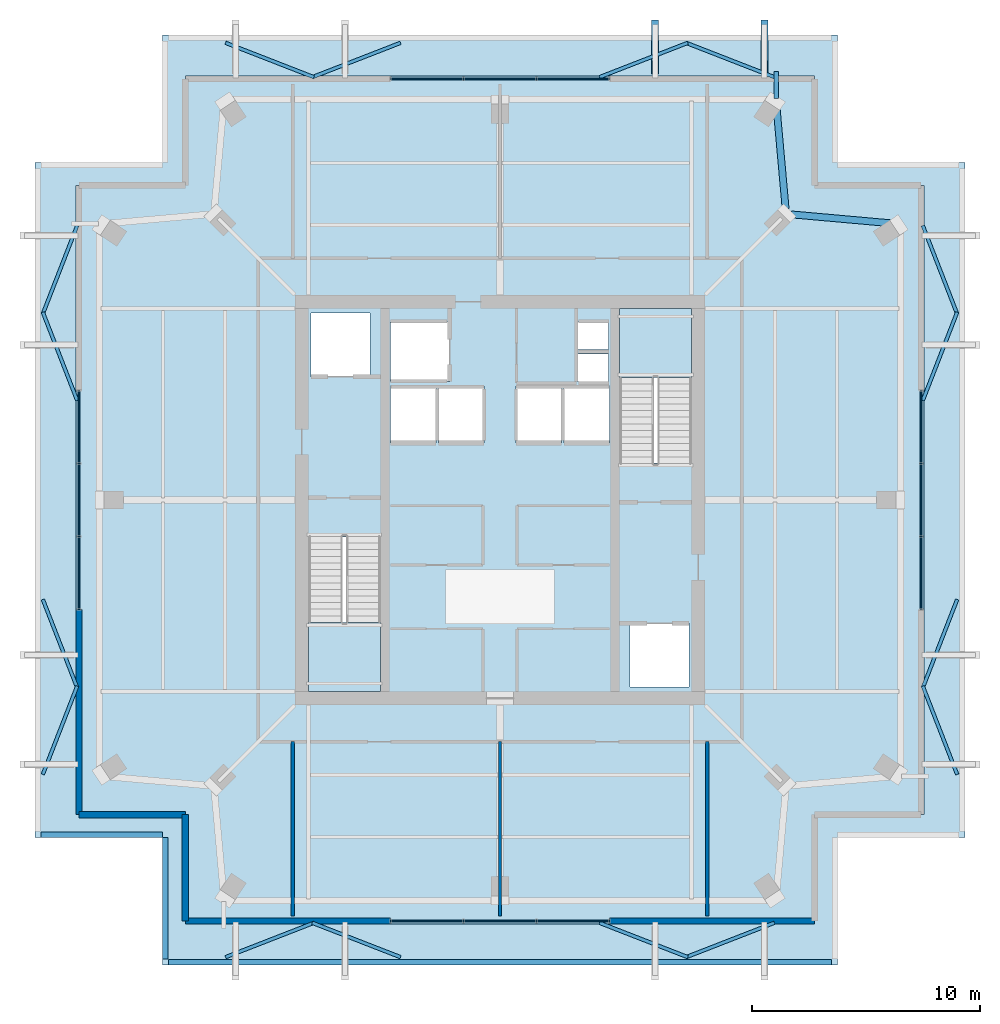
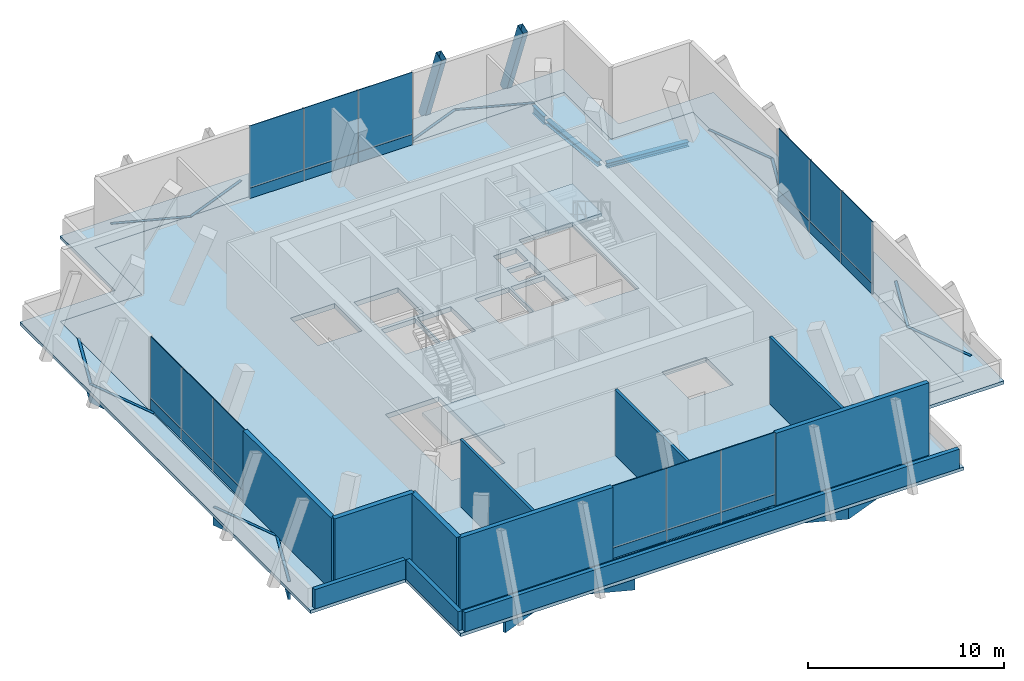
# One storey, part 15 of 18: 40 plates, 11 walls, 4 slabs, 3 beams, 2 members, 6 elements without a shape of their own.
"""IFC4 building model written with IfcOpenShell, lengths in metres."""

from ifc_helpers import new_model, si_unit, direction, frame, frame_2d, origin, origin_2d, place, context, subcontext, project, spatial, polyline, rectangle, hollow_rectangle, i_section, outline, extrude, material, layer, layer_set, material_profile, profile_set, type_object, element, aggregate, save


model = new_model("IFC4")

# Units and contexts
model_context = context("Model", 3, precision=1e-05, world=origin(), true_north=direction((0.0, 1.0)))
body_context = subcontext(model_context, "Body", "Model", "MODEL_VIEW")
ifc_project = project(units=[si_unit("LENGTHUNIT", "METRE"), si_unit("AREAUNIT", "SQUARE_METRE"), si_unit("VOLUMEUNIT", "CUBIC_METRE"), si_unit("PLANEANGLEUNIT", "RADIAN"), si_unit("MASSUNIT", "GRAM", prefix="KILO")], contexts=[model_context])

# Site, building, storey
site_placement = place(None, origin())
site = spatial("IfcSite", under=ifc_project, at=site_placement, CompositionType="ELEMENT")
building_placement = place(site_placement, origin())
building = spatial("IfcBuilding", under=site, at=building_placement, Name="Belovzor Exchange Tower", CompositionType="ELEMENT")
storey_placement = place(building_placement, frame((0.0, 0.0, 369.0)))
storey = spatial("IfcBuildingStorey", under=building, at=storey_placement, Name="L92", CompositionType="ELEMENT", Elevation=369.0)

# Beams
ifc_material_1 = material(Name="Steel S355", Category="steel")
ifc_material_profile_1 = material_profile(ifc_material_1, i_section(OverallWidth=0.300048828125, OverallDepth=0.300048828125, WebThickness=0.010986328125, FlangeThickness=0.01904296875, at=origin_2d()))
ifc_profile_set_1 = profile_set([ifc_material_profile_1], Name="Steel S355")
beam_type_1 = type_object("IfcBeamType", Name="Crown Plant Primary Beam HEB 300", PredefinedType="BEAM", material=ifc_profile_set_1)
for number, where, z_axis, x_axis, name in (
    (1, (46.160888671875, 40.919921875, -0.449951171875), (-0.996034353895, 0.088969465894, 0.0), (-0.088969465894, -0.996034353895, 0.0), "FG-CR Crown Plant Primary Beam HEB 300"),
    (2, (41.330078125, 41.569091796875, -0.449951171875), (-0.088969465894, 0.996034353895, 0.0), (-0.996034353895, -0.088969465894, 0.0), "FG-CR Crown Plant Primary Beam HEB 300"),
):
    element("IfcBeam", number, at=place(storey_placement, frame(where, z_axis=z_axis, x_axis=x_axis)), inside=storey, type_object=beam_type_1, Name=name, PredefinedType="BEAM", context=body_context, shape_type="SweptSolid", body=[
        extrude(i_section(OverallWidth=0.300048828125, OverallDepth=0.300048828125, WebThickness=0.010986328125, FlangeThickness=0.01904296875, at=origin_2d()), origin(), (0.0, 0.0, 1.0), 4.610107421875),
    ])
ifc_material_2 = material(Name="Steel S355", Category="steel")
ifc_material_profile_2 = material_profile(ifc_material_2, i_section(OverallWidth=0.199951171875, OverallDepth=0.5, WebThickness=0.01025390625, FlangeThickness=0.01611328125, at=origin_2d()))
ifc_profile_set_2 = profile_set([ifc_material_profile_2], Name="Steel S355")
beam_type_2 = type_object("IfcBeamType", Name="Planted Balcony Cantilever Beam IPE 500", PredefinedType="BEAM", material=ifc_profile_set_2)
beam_placement = place(storey_placement, frame((40.922119140625, 46.419921875, -0.550048828125), z_axis=(0.0, 1.0, 0.0), x_axis=(-1.0, 0.0, 0.0)))
element("IfcBeam", 3, at=beam_placement, inside=storey, type_object=beam_type_2, Name="BC-500 Planted Balcony Cantilever Beam IPE 500", PredefinedType="BEAM", context=body_context, shape_type="SweptSolid", body=[
    extrude(i_section(OverallWidth=0.199951171875, OverallDepth=0.5, WebThickness=0.01025390625, FlangeThickness=0.01611328125, at=origin_2d()), origin(), (0.0, 0.0, 1.0), 1.18017578125),
])

# Members
ifc_material_3 = material(Name="Extruded Architectural Terracotta on Steel S355 Carrier", Category="masonry")
ifc_material_profile_3 = material_profile(ifc_material_3, hollow_rectangle(XDim=0.300048828125, YDim=0.60009765625, WallThickness=0.01611328125, at=origin_2d()))
ifc_profile_set_3 = profile_set([ifc_material_profile_3], Name="Extruded Architectural Terracotta on Steel S355 Carrier")
member_type = type_object("IfcMemberType", Name="Upper Crown Terracotta Fin Assembly 550", PredefinedType="USERDEFINED", material=ifc_profile_set_3)
for number, where, z_axis, x_axis, name in (
    (4, (35.60009765625, 49.574951171875, -0.300048828125), (0.0, -0.351128660605, 0.936327220421), (1.0, 0.0, 0.0), "FIN-TC055 Terracotta Facade Fin L92 N3"),
    (5, (40.39990234375, 49.574951171875, -0.300048828125), (0.0, -0.351128660605, 0.936327220421), (1.0, 0.0, 0.0), "FIN-TC055 Terracotta Facade Fin L92 N4"),
):
    element("IfcMember", number, at=place(storey_placement, frame(where, z_axis=z_axis, x_axis=x_axis)), inside=storey, type_object=member_type, Name=name, ObjectType="FIN", PredefinedType="USERDEFINED", context=body_context, shape_type="SweptSolid", body=[
        extrude(hollow_rectangle(XDim=0.300048828125, YDim=0.60009765625, WallThickness=0.01611328125, at=origin_2d()), origin(), (0.0, 0.0, 1.0), 5.12646484375),
    ])

# Curtain wall, plates
ifc_material_4 = material(Name="Anodised Aluminium Framing", Category="aluminium")
ifc_layer_1 = layer(ifc_material_4, 0.169921875)
ifc_layer_set_1 = layer_set([ifc_layer_1], Name="Anodised Aluminium Framing")
curtain_wall_type = type_object("IfcCurtainWallType", Name="Stepped Crown Faceted Lantern Curtain Wall", PredefinedType="NOTDEFINED", material=ifc_layer_set_1)
curtain_wall_1_placement = place(storey_placement, origin())
curtain_wall_1 = element("IfcCurtainWall", 6, at=curtain_wall_1_placement, inside=storey, type_object=curtain_wall_type, Name="CW6 Stepped Crown Faceted Lantern Curtain Wall L92", PredefinedType="NOTDEFINED")
ifc_material_5 = material(Name="Solar-Control Triple Glazing", Category="glass")
ifc_layer_2 = layer(ifc_material_5, 0.0439453125)
ifc_layer_set_2 = layer_set([ifc_layer_2], Name="Solar-Control Triple Glazing")
plate_type_1 = type_object("IfcPlateType", Name="Insulated Solar Glazing Curtain Panel 44", PredefinedType="CURTAIN_PANEL", material=ifc_layer_set_2)
plate_1_placement = place(storey_placement, frame((32.0, 10.330078125, 0.65185546875), z_axis=(0.0, 0.0, 1.0), x_axis=(-1.0, 0.0, 0.0)))
plate_1 = element("IfcPlate", 7, at=plate_1_placement, type_object=plate_type_1, Name="GLZ-44 Glazed Curtain Panel 1", PredefinedType="CURTAIN_PANEL", context=body_context, shape_type="SweptSolid", body=[
    extrude(rectangle(XDim=3.18408203125, YDim=0.0439453125, at=origin_2d()), origin(), (0.0, 0.0, 1.0), 3.847900390625),
])
plate_2_placement = place(storey_placement, frame((28.800048828125, 10.330078125, 0.65185546875), z_axis=(0.0, 0.0, 1.0), x_axis=(-1.0, 0.0, 0.0)))
plate_2 = element("IfcPlate", 8, at=plate_2_placement, type_object=plate_type_1, Name="GLZ-44 Glazed Curtain Panel 2", PredefinedType="CURTAIN_PANEL", context=body_context, shape_type="SweptSolid", body=[
    extrude(rectangle(XDim=3.18408203125, YDim=0.0439453125, at=origin_2d()), origin(), (0.0, 0.0, 1.0), 3.847900390625),
])
plate_3_placement = place(storey_placement, frame((25.60009765625, 10.330078125, 0.65185546875), z_axis=(0.0, 0.0, 1.0), x_axis=(-1.0, 0.0, 0.0)))
plate_3 = element("IfcPlate", 9, at=plate_3_placement, type_object=plate_type_1, Name="GLZ-44 Glazed Curtain Panel 3", PredefinedType="CURTAIN_PANEL", context=body_context, shape_type="SweptSolid", body=[
    extrude(rectangle(XDim=3.18408203125, YDim=0.0439453125, at=origin_2d()), origin(), (0.0, 0.0, 1.0), 3.847900390625),
])

curtain_wall_2_placement = place(storey_placement, origin())
curtain_wall_2 = element("IfcCurtainWall", 10, at=curtain_wall_2_placement, inside=storey, type_object=curtain_wall_type, Name="CW6 Stepped Crown Faceted Lantern Curtain Wall L92", PredefinedType="NOTDEFINED")
plate_4_placement = place(storey_placement, frame((25.60009765625, 47.27001953125, 0.65185546875), z_axis=(0.0, 0.0, 1.0), x_axis=(1.0, 0.0, 0.0)))
plate_4 = element("IfcPlate", 11, at=plate_4_placement, type_object=plate_type_1, Name="GLZ-44 Glazed Curtain Panel 1", PredefinedType="CURTAIN_PANEL", context=body_context, shape_type="SweptSolid", body=[
    extrude(rectangle(XDim=3.18408203125, YDim=0.0439453125, at=origin_2d()), origin(), (0.0, 0.0, 1.0), 3.847900390625),
])
plate_5_placement = place(storey_placement, frame((28.800048828125, 47.27001953125, 0.65185546875), z_axis=(0.0, 0.0, 1.0), x_axis=(1.0, 0.0, 0.0)))
plate_5 = element("IfcPlate", 12, at=plate_5_placement, type_object=plate_type_1, Name="GLZ-44 Glazed Curtain Panel 2", PredefinedType="CURTAIN_PANEL", context=body_context, shape_type="SweptSolid", body=[
    extrude(rectangle(XDim=3.18408203125, YDim=0.0439453125, at=origin_2d()), origin(), (0.0, 0.0, 1.0), 3.847900390625),
])
plate_6_placement = place(storey_placement, frame((32.0, 47.27001953125, 0.65185546875), z_axis=(0.0, 0.0, 1.0), x_axis=(1.0, 0.0, 0.0)))
plate_6 = element("IfcPlate", 13, at=plate_6_placement, type_object=plate_type_1, Name="GLZ-44 Glazed Curtain Panel 3", PredefinedType="CURTAIN_PANEL", context=body_context, shape_type="SweptSolid", body=[
    extrude(rectangle(XDim=3.18408203125, YDim=0.0439453125, at=origin_2d()), origin(), (0.0, 0.0, 1.0), 3.847900390625),
])

curtain_wall_3_placement = place(storey_placement, origin())
curtain_wall_3 = element("IfcCurtainWall", 14, at=curtain_wall_3_placement, inside=storey, type_object=curtain_wall_type, Name="CW6 Stepped Crown Faceted Lantern Curtain Wall L92", PredefinedType="NOTDEFINED")
plate_7_placement = place(storey_placement, frame((10.330078125, 25.60009765625, 0.65185546875), z_axis=(0.0, 0.0, 1.0), x_axis=(0.0, 1.0, 0.0)))
plate_7 = element("IfcPlate", 15, at=plate_7_placement, type_object=plate_type_1, Name="GLZ-44 Glazed Curtain Panel 1", PredefinedType="CURTAIN_PANEL", context=body_context, shape_type="SweptSolid", body=[
    extrude(rectangle(XDim=3.18408203125, YDim=0.0439453125, at=origin_2d()), origin(), (0.0, 0.0, 1.0), 3.847900390625),
])
plate_8_placement = place(storey_placement, frame((10.330078125, 28.800048828125, 0.65185546875), z_axis=(0.0, 0.0, 1.0), x_axis=(0.0, 1.0, 0.0)))
plate_8 = element("IfcPlate", 16, at=plate_8_placement, type_object=plate_type_1, Name="GLZ-44 Glazed Curtain Panel 2", PredefinedType="CURTAIN_PANEL", context=body_context, shape_type="SweptSolid", body=[
    extrude(rectangle(XDim=3.18408203125, YDim=0.0439453125, at=origin_2d()), origin(), (0.0, 0.0, 1.0), 3.847900390625),
])
plate_9_placement = place(storey_placement, frame((10.330078125, 32.0, 0.65185546875), z_axis=(0.0, 0.0, 1.0), x_axis=(0.0, 1.0, 0.0)))
plate_9 = element("IfcPlate", 17, at=plate_9_placement, type_object=plate_type_1, Name="GLZ-44 Glazed Curtain Panel 3", PredefinedType="CURTAIN_PANEL", context=body_context, shape_type="SweptSolid", body=[
    extrude(rectangle(XDim=3.18408203125, YDim=0.0439453125, at=origin_2d()), origin(), (0.0, 0.0, 1.0), 3.847900390625),
])

curtain_wall_4_placement = place(storey_placement, origin())
curtain_wall_4 = element("IfcCurtainWall", 18, at=curtain_wall_4_placement, inside=storey, type_object=curtain_wall_type, Name="CW6 Stepped Crown Faceted Lantern Curtain Wall L92", PredefinedType="NOTDEFINED")
plate_10_placement = place(storey_placement, frame((47.27001953125, 32.0, 0.65185546875), z_axis=(0.0, 0.0, 1.0), x_axis=(0.0, -1.0, 0.0)))
plate_10 = element("IfcPlate", 19, at=plate_10_placement, type_object=plate_type_1, Name="GLZ-44 Glazed Curtain Panel 1", PredefinedType="CURTAIN_PANEL", context=body_context, shape_type="SweptSolid", body=[
    extrude(rectangle(XDim=3.18408203125, YDim=0.0439453125, at=origin_2d()), origin(), (0.0, 0.0, 1.0), 3.847900390625),
])
plate_11_placement = place(storey_placement, frame((47.27001953125, 28.800048828125, 0.65185546875), z_axis=(0.0, 0.0, 1.0), x_axis=(0.0, -1.0, 0.0)))
plate_11 = element("IfcPlate", 20, at=plate_11_placement, type_object=plate_type_1, Name="GLZ-44 Glazed Curtain Panel 2", PredefinedType="CURTAIN_PANEL", context=body_context, shape_type="SweptSolid", body=[
    extrude(rectangle(XDim=3.18408203125, YDim=0.0439453125, at=origin_2d()), origin(), (0.0, 0.0, 1.0), 3.847900390625),
])
plate_12_placement = place(storey_placement, frame((47.27001953125, 25.60009765625, 0.65185546875), z_axis=(0.0, 0.0, 1.0), x_axis=(0.0, -1.0, 0.0)))
plate_12 = element("IfcPlate", 21, at=plate_12_placement, type_object=plate_type_1, Name="GLZ-44 Glazed Curtain Panel 3", PredefinedType="CURTAIN_PANEL", context=body_context, shape_type="SweptSolid", body=[
    extrude(rectangle(XDim=3.18408203125, YDim=0.0439453125, at=origin_2d()), origin(), (0.0, 0.0, 1.0), 3.847900390625),
])

# Slab
ifc_material_6 = material(Name="Concrete C40/50", Category="concrete")
ifc_layer_3 = layer(ifc_material_6, 0.300048828125)
ifc_layer_set_3 = layer_set([ifc_layer_3], Name="Concrete C40/50")
slab_type_1 = type_object("IfcSlabType", Name="Reinforced Concrete Crown Plant Floor Slab 300", PredefinedType="FLOOR", material=ifc_layer_set_3)
slab_1_placement = place(storey_placement, frame((0.0, 0.0, -0.300048828125)))
element("IfcSlab", 22, at=slab_1_placement, inside=storey, type_object=slab_type_1, Name="SL-F300 Structural Slab L92", PredefinedType="FLOOR", context=body_context, shape_type="SweptSolid", body=[
    extrude(outline(polyline([(15.0, 10.199951171875), (42.60009765625, 10.199951171875), (42.60009765625, 15.0), (47.39990234375, 15.0), (47.39990234375, 42.60009765625), (42.60009765625, 42.60009765625), (42.60009765625, 47.39990234375), (15.0, 47.39990234375), (15.0, 42.60009765625), (10.199951171875, 42.60009765625), (10.199951171875, 15.0), (15.0, 15.0), (15.0, 10.199951171875)]), holes=[polyline([(20.39990234375, 27.175048828125), (20.39990234375, 20.39990234375), (23.550048828125, 20.39990234375), (23.550048828125, 27.175048828125), (20.39990234375, 27.175048828125)]), polyline([(37.199951171875, 30.425048828125), (37.199951171875, 37.199951171875), (34.050048828125, 37.199951171875), (34.050048828125, 30.425048828125), (37.199951171875, 30.425048828125)]), polyline([(20.5, 34.199951171875), (23.10009765625, 34.199951171875), (23.10009765625, 37.0), (20.5, 37.0), (20.5, 34.199951171875)]), polyline([(34.5, 20.60009765625), (37.10009765625, 20.60009765625), (37.10009765625, 23.39990234375), (34.5, 23.39990234375), (34.5, 20.60009765625)]), polyline([(24.0, 34.0), (26.60009765625, 34.0), (26.60009765625, 36.60009765625), (24.0, 36.60009765625), (24.0, 34.0)]), polyline([(24.0, 31.300048828125), (26.0, 31.300048828125), (26.0, 33.800048828125), (24.0, 33.800048828125), (24.0, 31.300048828125)]), polyline([(26.10009765625, 31.300048828125), (28.10009765625, 31.300048828125), (28.10009765625, 33.800048828125), (26.10009765625, 33.800048828125), (26.10009765625, 31.300048828125)]), polyline([(29.5, 31.300048828125), (31.5, 31.300048828125), (31.5, 33.800048828125), (29.5, 33.800048828125), (29.5, 31.300048828125)]), polyline([(31.60009765625, 31.300048828125), (33.60009765625, 31.300048828125), (33.60009765625, 33.800048828125), (31.60009765625, 33.800048828125), (31.60009765625, 31.300048828125)]), polyline([(32.199951171875, 34.0), (33.550048828125, 34.0), (33.550048828125, 35.199951171875), (32.199951171875, 35.199951171875), (32.199951171875, 34.0)]), polyline([(32.199951171875, 35.39990234375), (33.550048828125, 35.39990234375), (33.550048828125, 36.60009765625), (32.199951171875, 36.60009765625), (32.199951171875, 35.39990234375)])]), origin(), (0.0, 0.0, 1.0), 0.300048828125),
])

# Stair, slab
ifc_material_7 = material(Name="Concrete C40/50", Category="concrete")
stair_type = type_object("IfcStairType", Name="Reinforced Concrete Dogleg Escape Stair 1350", PredefinedType="HALF_TURN_STAIR", material=ifc_material_7)
stair_1_placement = place(storey_placement, origin())
stair_1 = element("IfcStair", 23, at=stair_1_placement, inside=storey, type_object=stair_type, Name="L92 ST-1", PredefinedType="HALF_TURN_STAIR")
ifc_material_8 = material(Name="Concrete C40/50", Category="concrete")
ifc_layer_4 = layer(ifc_material_8, 0.199951171875)
ifc_layer_set_4 = layer_set([ifc_layer_4], Name="Concrete C40/50")
slab_type_2 = type_object("IfcSlabType", Name="Reinforced Concrete Stair Half-Landing Slab 200", PredefinedType="LANDING", material=ifc_layer_set_4)
slab_2_placement = place(storey_placement, frame((0.0, 0.0, 2.199951171875)))
slab_2 = element("IfcSlab", 24, at=slab_2_placement, type_object=slab_type_2, Name="ST-1 landing 1", PredefinedType="LANDING", context=body_context, shape_type="SweptSolid", body=[
    extrude(outline(polyline([(20.39990234375, 23.429931640625), (20.39990234375, 20.39990234375), (23.550048828125, 20.39990234375), (23.550048828125, 23.429931640625), (20.39990234375, 23.429931640625)])), origin(), (0.0, 0.0, 1.0), 0.199951171875),
])
aggregate(stair_1, [slab_2])

stair_2_placement = place(storey_placement, origin())
stair_2 = element("IfcStair", 25, at=stair_2_placement, inside=storey, type_object=stair_type, Name="L92 ST-2", PredefinedType="HALF_TURN_STAIR")
slab_3_placement = place(storey_placement, frame((0.0, 0.0, 2.199951171875)))
slab_3 = element("IfcSlab", 26, at=slab_3_placement, type_object=slab_type_2, Name="ST-2 landing 1", PredefinedType="LANDING", context=body_context, shape_type="SweptSolid", body=[
    extrude(outline(polyline([(37.199951171875, 34.169921875), (37.199951171875, 37.199951171875), (34.050048828125, 37.199951171875), (34.050048828125, 34.169921875), (37.199951171875, 34.169921875)])), origin(), (0.0, 0.0, 1.0), 0.199951171875),
])
aggregate(stair_2, [slab_3])

# Slab
ifc_material_9 = material(Name="Concrete C40/50", Category="concrete")
ifc_layer_5 = layer(ifc_material_9, 0.199951171875)
ifc_layer_set_5 = layer_set([ifc_layer_5], Name="Concrete C40/50")
slab_type_3 = type_object("IfcSlabType", Name="Setback Weathering Roof Ring Slab 200", PredefinedType="ROOF", material=ifc_layer_set_5)
slab_4_placement = place(storey_placement, frame((0.0, 0.0, -0.199951171875)))
element("IfcSlab", 27, at=slab_4_placement, inside=storey, type_object=slab_type_3, Name="SL-RF200A Setback Weathering Roof Ring L91", PredefinedType="ROOF", context=body_context, shape_type="SweptSolid", body=[
    extrude(outline(polyline([(14.0, 8.39990234375), (43.60009765625, 8.39990234375), (43.60009765625, 14.0), (49.199951171875, 14.0), (49.199951171875, 43.60009765625), (43.60009765625, 43.60009765625), (43.60009765625, 49.199951171875), (14.0, 49.199951171875), (14.0, 43.60009765625), (8.39990234375, 43.60009765625), (8.39990234375, 14.0), (14.0, 14.0), (14.0, 8.39990234375)]), holes=[polyline([(15.0, 10.199951171875), (42.60009765625, 10.199951171875), (42.60009765625, 15.0), (47.39990234375, 15.0), (47.39990234375, 42.60009765625), (42.60009765625, 42.60009765625), (42.60009765625, 47.39990234375), (15.0, 47.39990234375), (15.0, 42.60009765625), (10.199951171875, 42.60009765625), (10.199951171875, 15.0), (15.0, 15.0), (15.0, 10.199951171875)])]), origin(), (0.0, 0.0, 1.0), 0.199951171875),
])

# Plate
ifc_material_10 = material(Name="Extruded Architectural Terracotta", Category="masonry")
ifc_layer_6 = layer(ifc_material_10, 0.090087890625)
ifc_layer_set_6 = layer_set([ifc_layer_6], Name="Extruded Architectural Terracotta")
plate_type_2 = type_object("IfcPlateType", Name="Terracotta Shadow-Box Spandrel Panel 90", PredefinedType="CURTAIN_PANEL", material=ifc_layer_set_6)
plate_13_placement = place(storey_placement, frame((32.0, 10.330078125, 0.0), z_axis=(0.0, 0.0, 1.0), x_axis=(-1.0, 0.0, 0.0)))
plate_13 = element("IfcPlate", 28, at=plate_13_placement, type_object=plate_type_2, Name="SPD-90 Spandrel Panel 1", PredefinedType="CURTAIN_PANEL", context=body_context, shape_type="SweptSolid", body=[
    extrude(rectangle(XDim=3.18408203125, YDim=0.090087890625, at=origin_2d()), origin(), (0.0, 0.0, 1.0), 0.64794921875),
])

plate_14_placement = place(storey_placement, frame((28.800048828125, 10.330078125, 0.0), z_axis=(0.0, 0.0, 1.0), x_axis=(-1.0, 0.0, 0.0)))
plate_14 = element("IfcPlate", 29, at=plate_14_placement, type_object=plate_type_2, Name="SPD-90 Spandrel Panel 2", PredefinedType="CURTAIN_PANEL", context=body_context, shape_type="SweptSolid", body=[
    extrude(rectangle(XDim=3.18408203125, YDim=0.090087890625, at=origin_2d()), origin(), (0.0, 0.0, 1.0), 0.64794921875),
])

plate_15_placement = place(storey_placement, frame((25.60009765625, 10.330078125, 0.0), z_axis=(0.0, 0.0, 1.0), x_axis=(-1.0, 0.0, 0.0)))
plate_15 = element("IfcPlate", 30, at=plate_15_placement, type_object=plate_type_2, Name="SPD-90 Spandrel Panel 3", PredefinedType="CURTAIN_PANEL", context=body_context, shape_type="SweptSolid", body=[
    extrude(rectangle(XDim=3.18408203125, YDim=0.090087890625, at=origin_2d()), origin(), (0.0, 0.0, 1.0), 0.64794921875),
])

aggregate(curtain_wall_1, [plate_13, plate_1, plate_14, plate_2, plate_15, plate_3])

plate_16_placement = place(storey_placement, frame((25.60009765625, 47.27001953125, 0.0), z_axis=(0.0, 0.0, 1.0), x_axis=(1.0, 0.0, 0.0)))
plate_16 = element("IfcPlate", 31, at=plate_16_placement, type_object=plate_type_2, Name="SPD-90 Spandrel Panel 1", PredefinedType="CURTAIN_PANEL", context=body_context, shape_type="SweptSolid", body=[
    extrude(rectangle(XDim=3.18408203125, YDim=0.090087890625, at=origin_2d()), origin(), (0.0, 0.0, 1.0), 0.64794921875),
])

plate_17_placement = place(storey_placement, frame((28.800048828125, 47.27001953125, 0.0), z_axis=(0.0, 0.0, 1.0), x_axis=(1.0, 0.0, 0.0)))
plate_17 = element("IfcPlate", 32, at=plate_17_placement, type_object=plate_type_2, Name="SPD-90 Spandrel Panel 2", PredefinedType="CURTAIN_PANEL", context=body_context, shape_type="SweptSolid", body=[
    extrude(rectangle(XDim=3.18408203125, YDim=0.090087890625, at=origin_2d()), origin(), (0.0, 0.0, 1.0), 0.64794921875),
])

plate_18_placement = place(storey_placement, frame((32.0, 47.27001953125, 0.0), z_axis=(0.0, 0.0, 1.0), x_axis=(1.0, 0.0, 0.0)))
plate_18 = element("IfcPlate", 33, at=plate_18_placement, type_object=plate_type_2, Name="SPD-90 Spandrel Panel 3", PredefinedType="CURTAIN_PANEL", context=body_context, shape_type="SweptSolid", body=[
    extrude(rectangle(XDim=3.18408203125, YDim=0.090087890625, at=origin_2d()), origin(), (0.0, 0.0, 1.0), 0.64794921875),
])

aggregate(curtain_wall_2, [plate_16, plate_4, plate_17, plate_5, plate_18, plate_6])

plate_19_placement = place(storey_placement, frame((10.330078125, 25.60009765625, 0.0), z_axis=(0.0, 0.0, 1.0), x_axis=(0.0, 1.0, 0.0)))
plate_19 = element("IfcPlate", 34, at=plate_19_placement, type_object=plate_type_2, Name="SPD-90 Spandrel Panel 1", PredefinedType="CURTAIN_PANEL", context=body_context, shape_type="SweptSolid", body=[
    extrude(rectangle(XDim=3.18408203125, YDim=0.090087890625, at=origin_2d()), origin(), (0.0, 0.0, 1.0), 0.64794921875),
])

plate_20_placement = place(storey_placement, frame((10.330078125, 28.800048828125, 0.0), z_axis=(0.0, 0.0, 1.0), x_axis=(0.0, 1.0, 0.0)))
plate_20 = element("IfcPlate", 35, at=plate_20_placement, type_object=plate_type_2, Name="SPD-90 Spandrel Panel 2", PredefinedType="CURTAIN_PANEL", context=body_context, shape_type="SweptSolid", body=[
    extrude(rectangle(XDim=3.18408203125, YDim=0.090087890625, at=origin_2d()), origin(), (0.0, 0.0, 1.0), 0.64794921875),
])

plate_21_placement = place(storey_placement, frame((10.330078125, 32.0, 0.0), z_axis=(0.0, 0.0, 1.0), x_axis=(0.0, 1.0, 0.0)))
plate_21 = element("IfcPlate", 36, at=plate_21_placement, type_object=plate_type_2, Name="SPD-90 Spandrel Panel 3", PredefinedType="CURTAIN_PANEL", context=body_context, shape_type="SweptSolid", body=[
    extrude(rectangle(XDim=3.18408203125, YDim=0.090087890625, at=origin_2d()), origin(), (0.0, 0.0, 1.0), 0.64794921875),
])

aggregate(curtain_wall_3, [plate_19, plate_7, plate_20, plate_8, plate_21, plate_9])

plate_22_placement = place(storey_placement, frame((47.27001953125, 32.0, 0.0), z_axis=(0.0, 0.0, 1.0), x_axis=(0.0, -1.0, 0.0)))
plate_22 = element("IfcPlate", 37, at=plate_22_placement, type_object=plate_type_2, Name="SPD-90 Spandrel Panel 1", PredefinedType="CURTAIN_PANEL", context=body_context, shape_type="SweptSolid", body=[
    extrude(rectangle(XDim=3.18408203125, YDim=0.090087890625, at=origin_2d()), origin(), (0.0, 0.0, 1.0), 0.64794921875),
])

plate_23_placement = place(storey_placement, frame((47.27001953125, 28.800048828125, 0.0), z_axis=(0.0, 0.0, 1.0), x_axis=(0.0, -1.0, 0.0)))
plate_23 = element("IfcPlate", 38, at=plate_23_placement, type_object=plate_type_2, Name="SPD-90 Spandrel Panel 2", PredefinedType="CURTAIN_PANEL", context=body_context, shape_type="SweptSolid", body=[
    extrude(rectangle(XDim=3.18408203125, YDim=0.090087890625, at=origin_2d()), origin(), (0.0, 0.0, 1.0), 0.64794921875),
])

plate_24_placement = place(storey_placement, frame((47.27001953125, 25.60009765625, 0.0), z_axis=(0.0, 0.0, 1.0), x_axis=(0.0, -1.0, 0.0)))
plate_24 = element("IfcPlate", 39, at=plate_24_placement, type_object=plate_type_2, Name="SPD-90 Spandrel Panel 3", PredefinedType="CURTAIN_PANEL", context=body_context, shape_type="SweptSolid", body=[
    extrude(rectangle(XDim=3.18408203125, YDim=0.090087890625, at=origin_2d()), origin(), (0.0, 0.0, 1.0), 0.64794921875),
])

aggregate(curtain_wall_4, [plate_22, plate_10, plate_23, plate_11, plate_24, plate_12])

# Plates
ifc_material_11 = material(Name="Extruded Architectural Terracotta", Category="masonry")
ifc_layer_7 = layer(ifc_material_11, 0.14990234375)
ifc_layer_set_7 = layer_set([ifc_layer_7], Name="Extruded Architectural Terracotta")
plate_type_3 = type_object("IfcPlateType", Name="Upper-Crown Deep Folded Zigzag Terracotta Spandrel Louvre 150", PredefinedType="USERDEFINED", material=ifc_layer_set_7)
for number, where, z_axis, x_axis, name in (
    (40, (18.699951171875, 9.5, -1.10498046875), (0.0, 0.0, 1.0), (0.931817969421, 0.362925986758, 0.0), "LVR-ZZ3 Zigzag Terracotta Spandrel Louvre L92 S1A"),
    (41, (22.5, 9.5, -1.10498046875), (0.0, 0.0, 1.0), (0.931817969421, -0.362925986758, 0.0), "LVR-ZZ3 Zigzag Terracotta Spandrel Louvre L92 S1B"),
    (42, (18.699951171875, 48.10009765625, -1.10498046875), (0.0, 0.0, 1.0), (0.931817969421, -0.362925986758, 0.0), "LVR-ZZ3 Zigzag Terracotta Spandrel Louvre L92 N1A"),
    (43, (22.5, 48.10009765625, -1.10498046875), (0.0, 0.0, 1.0), (0.931817969421, 0.362925986758, 0.0), "LVR-ZZ3 Zigzag Terracotta Spandrel Louvre L92 N1B"),
    (44, (9.5, 18.699951171875, -1.10498046875), (0.0, 0.0, 1.0), (0.362925986758, 0.931817969421, 0.0), "LVR-ZZ3 Zigzag Terracotta Spandrel Louvre L92 W1A"),
    (45, (9.5, 22.5, -1.10498046875), (0.0, 0.0, 1.0), (-0.362925986758, 0.931817969421, 0.0), "LVR-ZZ3 Zigzag Terracotta Spandrel Louvre L92 W1B"),
    (46, (48.10009765625, 18.699951171875, -1.10498046875), (0.0, 0.0, 1.0), (-0.362925986758, 0.931817969421, 0.0), "LVR-ZZ3 Zigzag Terracotta Spandrel Louvre L92 E1A"),
    (47, (48.10009765625, 22.5, -1.10498046875), (0.0, 0.0, 1.0), (0.362925986758, 0.931817969421, 0.0), "LVR-ZZ3 Zigzag Terracotta Spandrel Louvre L92 E1B"),
    (48, (35.10009765625, 9.5, -1.10498046875), (0.0, 0.0, 1.0), (0.931817969421, -0.362925986758, 0.0), "LVR-ZZ3 Zigzag Terracotta Spandrel Louvre L92 S2A"),
    (49, (38.89990234375, 9.5, -1.10498046875), (0.0, 0.0, 1.0), (0.931817969421, 0.362925986758, 0.0), "LVR-ZZ3 Zigzag Terracotta Spandrel Louvre L92 S2B"),
    (50, (35.10009765625, 48.10009765625, -1.10498046875), (0.0, 0.0, 1.0), (0.931817969421, 0.362925986758, 0.0), "LVR-ZZ3 Zigzag Terracotta Spandrel Louvre L92 N2A"),
    (51, (38.89990234375, 48.10009765625, -1.10498046875), (0.0, 0.0, 1.0), (0.931817969421, -0.362925986758, 0.0), "LVR-ZZ3 Zigzag Terracotta Spandrel Louvre L92 N2B"),
    (52, (9.5, 35.10009765625, -1.10498046875), (0.0, 0.0, 1.0), (-0.362925986758, 0.931817969421, 0.0), "LVR-ZZ3 Zigzag Terracotta Spandrel Louvre L92 W2A"),
    (53, (9.5, 38.89990234375, -1.10498046875), (0.0, 0.0, 1.0), (0.362925986758, 0.931817969421, 0.0), "LVR-ZZ3 Zigzag Terracotta Spandrel Louvre L92 W2B"),
    (54, (48.10009765625, 35.10009765625, -1.10498046875), (0.0, 0.0, 1.0), (0.362925986758, 0.931817969421, 0.0), "LVR-ZZ3 Zigzag Terracotta Spandrel Louvre L92 E2A"),
    (55, (48.10009765625, 38.89990234375, -1.10498046875), (0.0, 0.0, 1.0), (-0.362925986758, 0.931817969421, 0.0), "LVR-ZZ3 Zigzag Terracotta Spandrel Louvre L92 E2B"),
):
    element("IfcPlate", number, at=place(storey_placement, frame(where, z_axis=z_axis, x_axis=x_axis)), inside=storey, type_object=plate_type_3, Name=name, ObjectType="SPANDREL_LOUVRE", PredefinedType="USERDEFINED", context=body_context, shape_type="SweptSolid", body=[
        extrude(rectangle(XDim=4.157958984375, YDim=0.14990234375, at=origin_2d()), origin(), (0.0, 0.0, 1.0), 1.1201171875),
    ])

# Walls
ifc_material_12 = material(Name="Fire-Rated Gypsum Block and Mineral Wool", Category="gypsum")
ifc_layer_8 = layer(ifc_material_12, 0.14990234375)
ifc_layer_set_8 = layer_set([ifc_layer_8], Name="Fire-Rated Gypsum Block and Mineral Wool")
wall_type_1 = type_object("IfcWallType", Name="Fire-Rated Gypsum Block Corridor Wall 150", PredefinedType="PARTITIONING", material=ifc_layer_set_8)
wall_1_placement = place(storey_placement, frame((19.699951171875, 10.550048828125, 0.0), z_axis=(0.0, 0.0, 1.0), x_axis=(0.0, 1.0, 0.0)))
element("IfcWall", 56, at=wall_1_placement, inside=storey, type_object=wall_type_1, Name="W-P150 Partition Wall W-L92-Q1W", PredefinedType="PARTITIONING", context=body_context, shape_type="SweptSolid", body=[
    extrude(rectangle(XDim=7.64990234375, YDim=0.14990234375, at=frame_2d((3.824951171875, 0.0))), origin(), (0.0, 0.0, 1.0), 4.18505859375),
])
wall_2_placement = place(storey_placement, frame((28.800048828125, 10.550048828125, 0.0), z_axis=(0.0, 0.0, 1.0), x_axis=(0.0, 1.0, 0.0)))
element("IfcWall", 57, at=wall_2_placement, inside=storey, type_object=wall_type_1, Name="W-P150 Partition Wall W-L92-Q1M", PredefinedType="PARTITIONING", context=body_context, shape_type="SweptSolid", body=[
    extrude(rectangle(XDim=7.64990234375, YDim=0.14990234375, at=frame_2d((3.824951171875, 0.0))), origin(), (0.0, 0.0, 1.0), 4.0849609375),
])
wall_3_placement = place(storey_placement, frame((37.89990234375, 10.550048828125, 0.0), z_axis=(0.0, 0.0, 1.0), x_axis=(0.0, 1.0, 0.0)))
element("IfcWall", 58, at=wall_3_placement, inside=storey, type_object=wall_type_1, Name="W-P150 Partition Wall W-L92-Q2E", PredefinedType="PARTITIONING", context=body_context, shape_type="SweptSolid", body=[
    extrude(rectangle(XDim=7.64990234375, YDim=0.14990234375, at=frame_2d((3.824951171875, 0.0))), origin(), (0.0, 0.0, 1.0), 4.18505859375),
])
ifc_material_13 = material(Name="Precast concrete C40/50", Category="concrete")
ifc_layer_9 = layer(ifc_material_13, 0.280029296875)
ifc_layer_set_9 = layer_set([ifc_layer_9], Name="Precast concrete C40/50")
wall_type_2 = type_object("IfcWallType", Name="Precast Concrete Notched Corner Frame Wall 280", PredefinedType="SOLIDWALL", material=ifc_layer_set_9)
for number, where, z_axis, x_axis, name in (
    (59, (15.0, 10.330078125, 0.0), (0.0, 0.0, 1.0), (0.0, 1.0, 0.0), "W-CRN280 Precast Concrete Notched Corner Frame Wall 280 L92"),
    (60, (15.0, 15.0, 0.0), (0.0, 0.0, 1.0), (-1.0, 0.0, 0.0), "W-CRN280 Precast Concrete Notched Corner Frame Wall 280 L92"),
):
    element("IfcWall", number, at=place(storey_placement, frame(where, z_axis=z_axis, x_axis=x_axis)), inside=storey, type_object=wall_type_2, Name=name, PredefinedType="SOLIDWALL", context=body_context, shape_type="SweptSolid", body=[
        extrude(rectangle(XDim=4.669921875, YDim=0.280029296875, at=frame_2d((2.3349609375, 0.0))), origin(), (0.0, 0.0, 1.0), 4.5),
    ])
ifc_material_14 = material(Name="Precast concrete C40/50", Category="concrete")
ifc_layer_10 = layer(ifc_material_14, 0.260009765625)
ifc_layer_set_10 = layer_set([ifc_layer_10], Name="Precast concrete C40/50")
wall_type_3 = type_object("IfcWallType", Name="Precast Concrete Perimeter Loggia Frame Wall 260", PredefinedType="SOLIDWALL", material=ifc_layer_set_10)
for number, where, z_axis, x_axis, name in (
    (61, (42.60009765625, 10.330078125, 0.0), (0.0, 0.0, 1.0), (-1.0, 0.0, 0.0), "W-EXT260 Precast Concrete Perimeter Loggia Frame Wall 260 L92"),
    (62, (24.0, 10.330078125, 0.0), (0.0, 0.0, 1.0), (-1.0, 0.0, 0.0), "W-EXT260 Precast Concrete Perimeter Loggia Frame Wall 260 L92"),
    (63, (10.330078125, 15.0, 0.0), (0.0, 0.0, 1.0), (0.0, 1.0, 0.0), "W-EXT260 Precast Concrete Perimeter Loggia Frame Wall 260 L92"),
):
    element("IfcWall", number, at=place(storey_placement, frame(where, z_axis=z_axis, x_axis=x_axis)), inside=storey, type_object=wall_type_3, Name=name, PredefinedType="SOLIDWALL", context=body_context, shape_type="SweptSolid", body=[
        extrude(rectangle(XDim=9.0, YDim=0.260009765625, at=frame_2d((4.5, 0.0))), origin(), (0.0, 0.0, 1.0), 4.5),
    ])
ifc_material_15 = material(Name="Precast concrete C40/50", Category="concrete")
ifc_layer_11 = layer(ifc_material_15, 0.239990234375)
ifc_layer_set_11 = layer_set([ifc_layer_11], Name="Precast concrete C40/50")
wall_type_4 = type_object("IfcWallType", Name="Precast Stone Setback Roof Parapet Wall 240", PredefinedType="PARAPET", material=ifc_layer_set_11)
wall_4_placement = place(storey_placement, frame((14.2548828125, 8.52001953125, 0.0), z_axis=(0.0, 0.0, 1.0), x_axis=(1.0, 0.0, 0.0)))
element("IfcWall", 64, at=wall_4_placement, inside=storey, type_object=wall_type_4, Name="W-PAR240 Precast Stone Setback Roof Parapet Wall 240 L92", PredefinedType="PARAPET", context=body_context, shape_type="SweptSolid", body=[
    extrude(rectangle(XDim=29.090087890625, YDim=0.239990234375, at=frame_2d((14.544921875, 0.0))), origin(), (0.0, 0.0, 1.0), 1.199951171875),
])
for number, where, z_axis, x_axis, name in (
    (65, (8.655029296875, 14.1201171875, 0.0), (0.0, 0.0, 1.0), (1.0, 0.0, 0.0), "W-PAR240 Precast Stone Setback Roof Parapet Wall 240 L92"),
    (66, (14.1201171875, 13.985107421875, 0.0), (0.0, 0.0, 1.0), (0.0, -1.0, 0.0), "W-PAR240 Precast Stone Setback Roof Parapet Wall 240 L92"),
):
    element("IfcWall", number, at=place(storey_placement, frame(where, z_axis=z_axis, x_axis=x_axis)), inside=storey, type_object=wall_type_4, Name=name, PredefinedType="PARAPET", context=body_context, shape_type="SweptSolid", body=[
        extrude(rectangle(XDim=5.330078125, YDim=0.239990234375, at=frame_2d((2.6650390625, 0.0))), origin(), (0.0, 0.0, 1.0), 1.199951171875),
    ])

save(model, "model.ifc")
